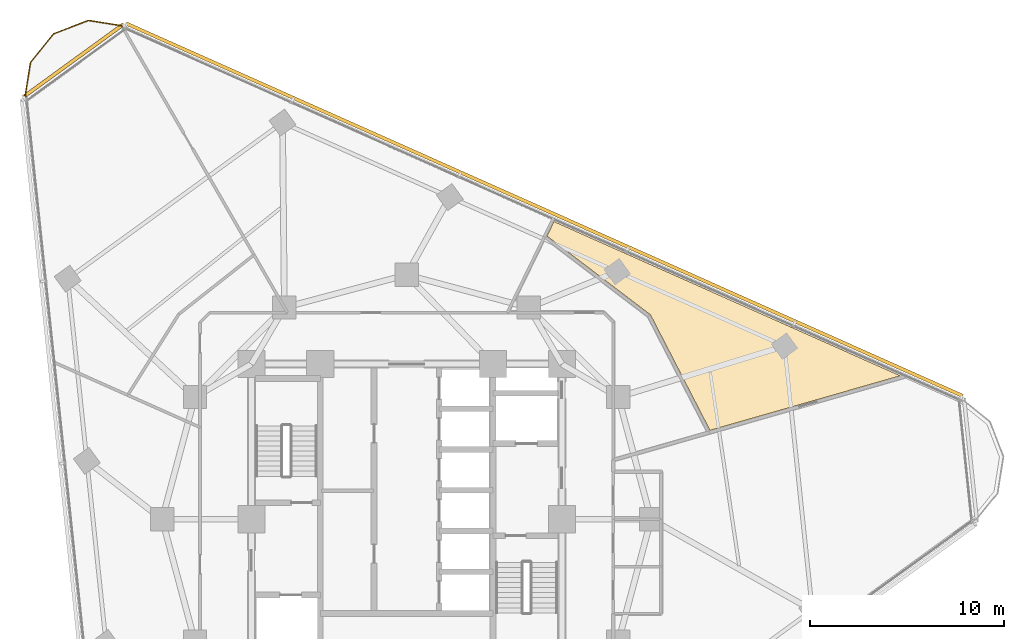
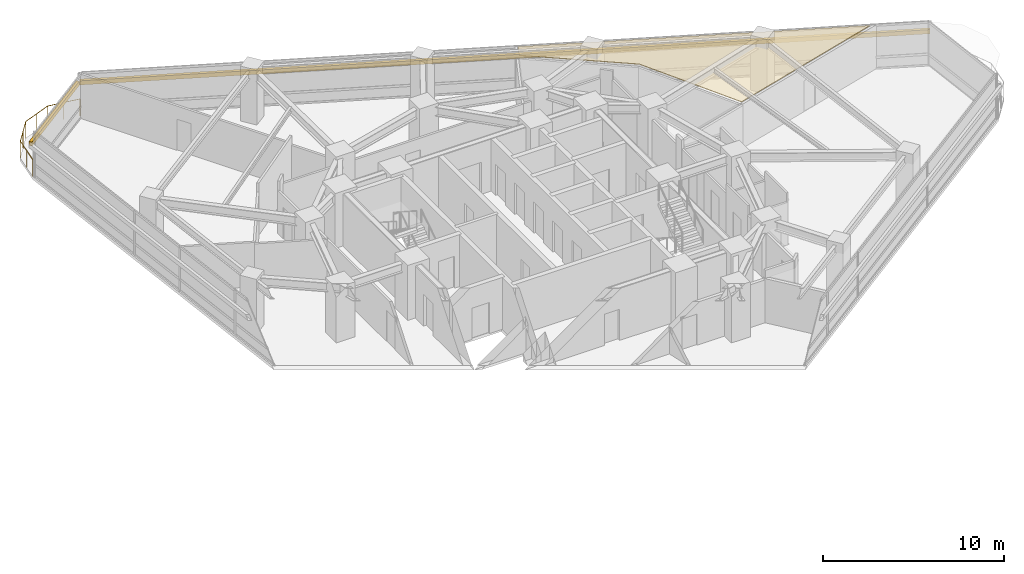
# One storey, part 14 of 14: 2 shading devices, 1 covering, 1 railing.
"""IFC4 building model written with IfcOpenShell, lengths in metres."""

from ifc_helpers import new_model, si_unit, direction, frame, origin, origin_2d, place, context, subcontext, project, spatial, polyline, rectangle, circle, outline, extrude, material, layer, layer_set, type_object, element, save


model = new_model("IFC4")

# Units and contexts
model_context = context("Model", 3, precision=1e-05, world=origin(), true_north=direction((0.0, 1.0)))
body_context = subcontext(model_context, "Body", "Model", "MODEL_VIEW")
ifc_project = project(units=[si_unit("LENGTHUNIT", "METRE"), si_unit("AREAUNIT", "SQUARE_METRE"), si_unit("VOLUMEUNIT", "CUBIC_METRE"), si_unit("PLANEANGLEUNIT", "RADIAN"), si_unit("MASSUNIT", "GRAM", prefix="KILO")], contexts=[model_context])

# Site, building, storey
site_placement = place(None, origin())
site = spatial("IfcSite", under=ifc_project, at=site_placement, CompositionType="ELEMENT")
building_placement = place(site_placement, origin())
building = spatial("IfcBuilding", under=site, at=building_placement, Name="Terralouvre Media Tower", CompositionType="ELEMENT")
storey_placement = place(building_placement, frame((0.0, 0.0, 154.60009765625)))
storey = spatial("IfcBuildingStorey", under=building, at=storey_placement, Name="L39", CompositionType="ELEMENT", Elevation=154.60009765625)

# Covering
ifc_material_1 = material(Name="Perforated aluminium acoustic ceiling baffle", Category="aluminium")
ifc_layer_1 = layer(ifc_material_1, 0.0400390625, Name="Perforated Acoustic Metal Tile Ceiling CL-AC1")
ifc_layer_set_1 = layer_set([ifc_layer_1], Name="Perforated aluminium acoustic ceiling baffle")
covering_type = type_object("IfcCoveringType", Name="Perforated Acoustic Metal Tile Ceiling CL-AC1", PredefinedType="CEILING", material=ifc_layer_set_1)
covering_placement = place(storey_placement, frame((0.0, 0.0, 2.97998046875), z_axis=(0.0, 0.0, 1.0), x_axis=(0.809016994375, 0.587785252292, 0.0)))
element("IfcCovering", 1, at=covering_placement, inside=storey, type_object=covering_type, Name="L39 Creative Set Workshop 6 Acoustic Ceiling", PredefinedType="CEILING", context=body_context, shape_type="SweptSolid", body=[
    extrude(outline(polyline([(16.356201171875, 1.165283203125), (16.3583984375, 1.156494140625), (16.35986328125, 1.147705078125), (16.3603515625, 1.138916015625), (16.3603515625, 1.130126953125), (16.359375, 1.12109375), (15.343505859375, -5.478271484375), (24.9287109375, -8.966796875), (15.162841796875, 7.948974609375), (14.431640625, 7.56005859375), (16.356201171875, 1.165283203125)])), origin(), (0.0, 0.0, 1.0), 0.0400390625),
])

# Railing
ifc_material_2 = material(Name="Stainless steel 316 handrail and balustrade", Category="steel")
ifc_layer_2 = layer(ifc_material_2, 0.06005859375, Name="Roof Edge Safety Guardrail GR-ROOF1")
ifc_layer_set_2 = layer_set([ifc_layer_2], Name="Stainless steel 316 handrail and balustrade")
railing_type = type_object("IfcRailingType", Name="Roof Edge Safety Guardrail GR-ROOF1", PredefinedType="GUARDRAIL", material=ifc_layer_set_2)
railing_placement = place(storey_placement, frame((-14.50537109375, 25.41357421875, 0.0)))
element("IfcRailing", 2, at=railing_placement, inside=storey, type_object=railing_type, Name="L39 Wind-Corner Perimeter Safety Guardrail C2", PredefinedType="GUARDRAIL", context=body_context, shape_type="SweptSolid", body=[
    extrude(circle(Radius=0.02099609375, at=origin_2d()), frame((0.0, 0.0, 1.12890625), z_axis=(-0.987645867018, 0.156702397439, 0.0), x_axis=(-0.156702397439, -0.987645867018, 0.0)), (0.0, 0.0, 1.0), 1.914794921875),
    extrude(circle(Radius=0.02099609375, at=origin_2d()), frame((-1.89111328125, 0.300048828125, 1.12890625), z_axis=(-0.933575508152, -0.358380762009, 0.0), x_axis=(0.358380762009, -0.933575508152, 0.0)), (0.0, 0.0, 1.0), 1.914306640625),
    extrude(circle(Radius=0.02099609375, at=origin_2d()), frame((-3.67822265625, -0.385986328125, 1.12890625), z_axis=(-0.629256927844, -0.777197348658, 0.0), x_axis=(0.777197348658, -0.629256927844, 0.0)), (0.0, 0.0, 1.0), 1.914306640625),
    extrude(circle(Radius=0.02099609375, at=origin_2d()), frame((-4.8828125, -1.873779296875, 1.12890625), z_axis=(-0.156204845685, -0.987724681369, 0.0), x_axis=(0.987724681369, -0.156204845685, 0.0)), (0.0, 0.0, 1.0), 1.91455078125),
    extrude(circle(Radius=0.01904296875, at=origin_2d()), origin(), (0.0, 0.0, 1.0), 1.10791015625),
    extrude(circle(Radius=0.01904296875, at=origin_2d()), frame((-0.945556640625, 0.14990234375, 0.0)), (0.0, 0.0, 1.0), 1.10791015625),
    extrude(circle(Radius=0.01904296875, at=origin_2d()), frame((-1.89111328125, 0.300048828125, 0.0)), (0.0, 0.0, 1.0), 1.10791015625),
    extrude(circle(Radius=0.01904296875, at=origin_2d()), frame((-2.78466796875, -0.04296875, 0.0)), (0.0, 0.0, 1.0), 1.10791015625),
    extrude(circle(Radius=0.01904296875, at=origin_2d()), frame((-3.67822265625, -0.385986328125, 0.0)), (0.0, 0.0, 1.0), 1.10791015625),
    extrude(circle(Radius=0.01904296875, at=origin_2d()), frame((-4.280517578125, -1.1298828125, 0.0)), (0.0, 0.0, 1.0), 1.10791015625),
    extrude(circle(Radius=0.01904296875, at=origin_2d()), frame((-4.8828125, -1.873779296875, 0.0)), (0.0, 0.0, 1.0), 1.10791015625),
    extrude(circle(Radius=0.01904296875, at=origin_2d()), frame((-5.0322265625, -2.8193359375, 0.0)), (0.0, 0.0, 1.0), 1.10791015625),
    extrude(circle(Radius=0.01904296875, at=origin_2d()), frame((-5.181884765625, -3.764892578125, 0.0)), (0.0, 0.0, 1.0), 1.10791015625),
])

# Shading devices
ifc_material_3 = material(Name="Extruded terracotta baguette sunshade louvres", Category="masonry")
shading_device_type = type_object("IfcShadingDeviceType", Name="Terracotta Baguette Sunshade Louvre Screen TB-LV1", PredefinedType="USERDEFINED", material=ifc_material_3)
shading_device_1_placement = place(storey_placement, frame((7.103759765625, 15.95556640625, 2.02392578125), z_axis=(0.0, 0.0, 1.0), x_axis=(-0.913545469547, 0.406736616337, 0.0)))
element("IfcShadingDevice", 3, at=shading_device_1_placement, inside=storey, type_object=shading_device_type, Name="CW-L39-F1 Terracotta Baguette Sunshade Louvre", ObjectType="BAGUETTE", PredefinedType="USERDEFINED", context=body_context, shape_type="SweptSolid", body=[
    extrude(rectangle(XDim=47.199951171875, YDim=0.179931640625, at=origin_2d()), origin(), (0.0, 0.0, 1.0), 0.280029296875),
])
shading_device_2_placement = place(storey_placement, frame((-17.175537109375, 23.64013671875, 2.02392578125), z_axis=(0.0, 0.0, 1.0), x_axis=(-0.809017438344, -0.587784641221, 0.0)))
element("IfcShadingDevice", 4, at=shading_device_2_placement, inside=storey, type_object=shading_device_type, Name="CW-L39-C2 Terracotta Baguette Sunshade Louvre", ObjectType="BAGUETTE", PredefinedType="USERDEFINED", context=body_context, shape_type="SweptSolid", body=[
    extrude(rectangle(XDim=6.40869140625, YDim=0.179931640625, at=origin_2d()), origin(), (0.0, 0.0, 1.0), 0.280029296875),
])

save(model, "model.ifc")
